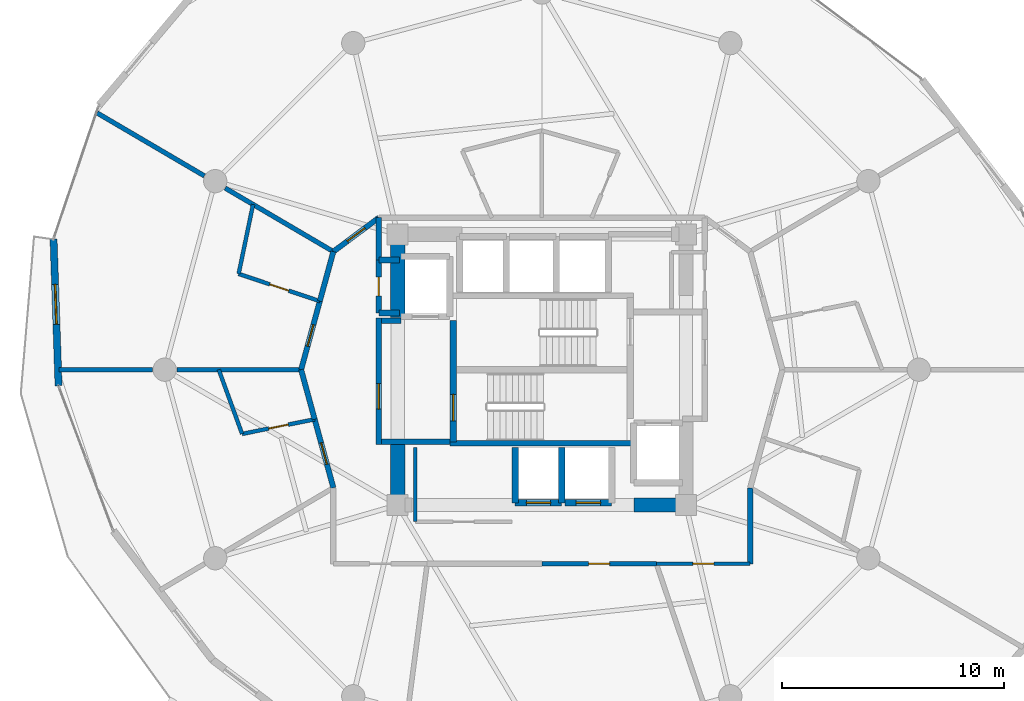
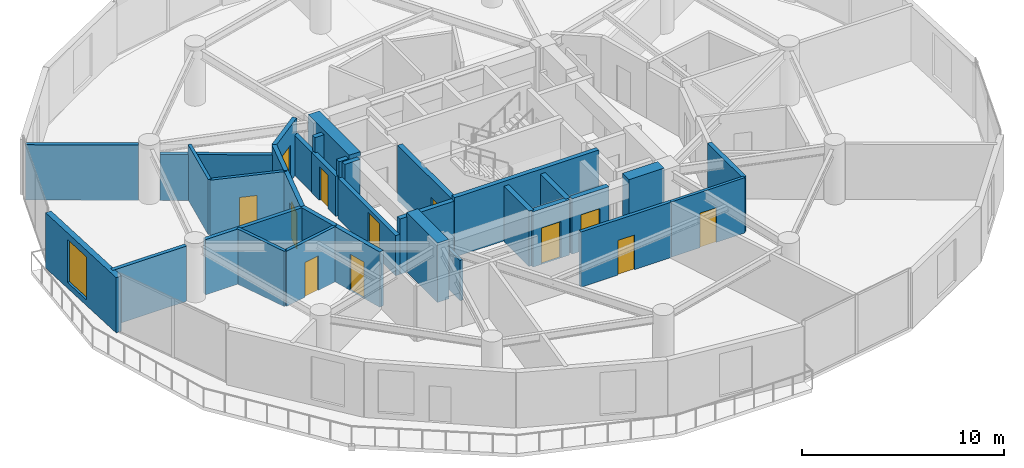
# One storey, part 21 of 25: 34 walls, 12 doors, 1 window, 13 openings.
"""IFC4 building model written with IfcOpenShell, lengths in metres."""

from ifc_helpers import new_model, si_unit, direction, frame, frame_2d, origin, place, context, subcontext, project, spatial, rectangle, extrude, material, layer, layer_set, type_object, element, fill, save


model = new_model("IFC4")

# Units and contexts
model_context = context("Model", 3, precision=1e-05, world=origin(), true_north=direction((0.0, 1.0)))
body_context = subcontext(model_context, "Body", "Model", "MODEL_VIEW")
ifc_project = project(units=[si_unit("LENGTHUNIT", "METRE"), si_unit("AREAUNIT", "SQUARE_METRE"), si_unit("VOLUMEUNIT", "CUBIC_METRE"), si_unit("PLANEANGLEUNIT", "RADIAN"), si_unit("MASSUNIT", "GRAM", prefix="KILO")], contexts=[model_context])

# Site, building, storey
site_placement = place(None, origin())
site = spatial("IfcSite", under=ifc_project, at=site_placement, CompositionType="ELEMENT")
building_placement = place(site_placement, origin())
building = spatial("IfcBuilding", under=site, at=building_placement, Name="Solvirekh Grand Hotel", CompositionType="ELEMENT")
storey_placement = place(building_placement, frame((0.0, 0.0, 102.60009765625)))
storey = spatial("IfcBuildingStorey", under=building, at=storey_placement, Name="L25", CompositionType="ELEMENT", Elevation=102.60009765625)

# Wall
ifc_material_1 = material(Name="Concrete C50/60", Category="concrete")
ifc_layer_1 = layer(ifc_material_1, 0.35009765625)
ifc_layer_set_1 = layer_set([ifc_layer_1], Name="Concrete C50/60")
wall_type_1 = type_object("IfcWallType", Name="CoreDivWall_RC350", PredefinedType="SOLIDWALL", material=ifc_layer_set_1)
wall_1_placement = place(storey_placement, frame((-4.1298828125, -3.324951171875, 0.0), z_axis=(0.0, 0.0, 1.0), x_axis=(1.0, 0.0, 0.0)))
element("IfcWall", 1, at=wall_1_placement, inside=storey, type_object=wall_type_1, Name="L25 core stair box wall ST-S", PredefinedType="SOLIDWALL", context=body_context, shape_type="SweptSolid", body=[
    extrude(rectangle(XDim=8.259765625, YDim=0.25, at=frame_2d((4.1298828125, 0.0))), origin(), (0.0, 0.0, 1.0), 3.599853515625),
])

# Wall, opening, door
ifc_material_2 = material(Name="Concrete C40/50", Category="concrete")
ifc_layer_2 = layer(ifc_material_2, 0.280029296875)
ifc_layer_set_2 = layer_set([ifc_layer_2], Name="Concrete C40/50")
wall_type_2 = type_object("IfcWallType", Name="CoreShaftWall_RC280", PredefinedType="SOLIDWALL", material=ifc_layer_set_2)
wall_2_placement = place(storey_placement, frame((-1.199951171875, -6.0, 0.0), z_axis=(0.0, 0.0, 1.0), x_axis=(1.0, 0.0, 0.0)))
wall_2 = element("IfcWall", 2, at=wall_2_placement, inside=storey, type_object=wall_type_2, Name="L25 MP-1 hoistway S wall", PredefinedType="SOLIDWALL", context=body_context, shape_type="SweptSolid", body=[
    extrude(rectangle(XDim=2.099853515625, YDim=0.280029296875, at=frame_2d((1.0498046875, 0.0))), origin(), (0.0, 0.0, 1.0), 3.349853515625),
])
opening_1_placement = place(wall_2_placement, frame((0.5, 0.0, 0.0)))
opening_1 = element("IfcOpeningElement", 3, at=opening_1_placement, cuts=wall_2, Name="Opening LD01", PredefinedType="OPENING", context=body_context, shape_type="SweptSolid", body=[
    extrude(rectangle(XDim=1.10009765625, YDim=2.199951171875, at=frame_2d((0.550048828125, 1.10009765625))), frame((0.0, 0.14990234375, 0.0), z_axis=(0.0, -1.0, 0.0), x_axis=(1.0, 0.0, 0.0)), (0.0, 0.0, 1.0), 0.300048828125),
])
ifc_material_3 = material(Name="Fire-Rated Steel Door Assembly", Category="steel")
door_type_1 = type_object("IfcDoorType", Name="Door_LiftLanding_1100X2200", OperationType="SLIDING_TO_LEFT", PredefinedType="DOOR", material=ifc_material_3)
door_1_placement = place(opening_1_placement, origin())
door_1 = element("IfcDoor", 4, at=door_1_placement, inside=storey, type_object=door_type_1, Name="L25 MP-1 sliding lift landing door", OperationType="SLIDING_TO_LEFT", OverallHeight=2.199951171875, OverallWidth=1.10009765625, PredefinedType="DOOR", context=body_context, shape_type="SweptSolid", body=[
    extrude(rectangle(XDim=1.10009765625, YDim=2.199951171875, at=frame_2d((0.550048828125, 1.10009765625))), frame((0.0, 0.02490234375, 0.0), z_axis=(0.0, -1.0, 0.0), x_axis=(1.0, 0.0, 0.0)), (0.0, 0.0, 1.0), 0.050048828125),
])
fill(opening_1, door_1)

# Walls
for number, where, z_axis, x_axis, name in (
    (5, (-1.199951171875, -3.5, 0.0), (0.0, 0.0, 1.0), (0.0, -1.0, 0.0), "L25 MP-1 hoistway W wall"),
    (6, (0.89990234375, -6.0, 0.0), (0.0, 0.0, 1.0), (0.0, 1.0, 0.0), "L25 MP-1 hoistway E wall"),
):
    element("IfcWall", number, at=place(storey_placement, frame(where, z_axis=z_axis, x_axis=x_axis)), inside=storey, type_object=wall_type_2, Name=name, PredefinedType="SOLIDWALL", context=body_context, shape_type="SweptSolid", body=[
        extrude(rectangle(XDim=2.5, YDim=0.280029296875, at=frame_2d((1.25, 0.0))), origin(), (0.0, 0.0, 1.0), 3.349853515625),
    ])

# Wall, opening, door
wall_3_placement = place(storey_placement, frame((1.050048828125, -6.0, 0.0), z_axis=(0.0, 0.0, 1.0), x_axis=(1.0, 0.0, 0.0)))
wall_3 = element("IfcWall", 7, at=wall_3_placement, inside=storey, type_object=wall_type_2, Name="L25 MP-2 hoistway S wall", PredefinedType="SOLIDWALL", context=body_context, shape_type="SweptSolid", body=[
    extrude(rectangle(XDim=2.099853515625, YDim=0.280029296875, at=frame_2d((1.0498046875, 0.0))), origin(), (0.0, 0.0, 1.0), 3.349853515625),
])
opening_2_placement = place(wall_3_placement, frame((0.5, 0.0, 0.0)))
opening_2 = element("IfcOpeningElement", 8, at=opening_2_placement, cuts=wall_3, Name="Opening LD01", PredefinedType="OPENING", context=body_context, shape_type="SweptSolid", body=[
    extrude(rectangle(XDim=1.10009765625, YDim=2.199951171875, at=frame_2d((0.550048828125, 1.10009765625))), frame((0.0, 0.14990234375, 0.0), z_axis=(0.0, -1.0, 0.0), x_axis=(1.0, 0.0, 0.0)), (0.0, 0.0, 1.0), 0.300048828125),
])
door_2_placement = place(opening_2_placement, origin())
door_2 = element("IfcDoor", 9, at=door_2_placement, inside=storey, type_object=door_type_1, Name="L25 MP-2 sliding lift landing door", OperationType="SLIDING_TO_LEFT", OverallHeight=2.199951171875, OverallWidth=1.10009765625, PredefinedType="DOOR", context=body_context, shape_type="SweptSolid", body=[
    extrude(rectangle(XDim=1.10009765625, YDim=2.199951171875, at=frame_2d((0.550048828125, 1.10009765625))), frame((0.0, 0.02490234375, 0.0), z_axis=(0.0, -1.0, 0.0), x_axis=(1.0, 0.0, 0.0)), (0.0, 0.0, 1.0), 0.050048828125),
])
fill(opening_2, door_2)

wall_4_placement = place(storey_placement, frame((-3.989990234375, -3.25, 0.0), z_axis=(0.0, 0.0, 1.0), x_axis=(0.0, 1.0, 0.0)))
wall_4 = element("IfcWall", 10, at=wall_4_placement, inside=storey, type_object=wall_type_2, Name="L25 west stair landing enclosure wall", PredefinedType="SOLIDWALL", context=body_context, shape_type="SweptSolid", body=[
    extrude(rectangle(XDim=5.4599609375, YDim=0.280029296875, at=frame_2d((2.72998046875, 0.0))), origin(), (0.0, 0.0, 1.0), 3.349853515625),
])
opening_3_placement = place(wall_4_placement, frame((0.93701171875, 0.0, 0.0)))
opening_3 = element("IfcOpeningElement", 11, at=opening_3_placement, cuts=wall_4, Name="Opening D05", PredefinedType="OPENING", context=body_context, shape_type="SweptSolid", body=[
    extrude(rectangle(XDim=1.199951171875, YDim=2.199951171875, at=frame_2d((0.60009765625, 1.10009765625))), frame((0.0, 0.14990234375, 0.0), z_axis=(0.0, -1.0, 0.0), x_axis=(1.0, 0.0, 0.0)), (0.0, 0.0, 1.0), 0.300048828125),
])
door_type_2 = type_object("IfcDoorType", Name="Door_StairCore_1200X2200", OperationType="NOTDEFINED", PredefinedType="DOOR", material=ifc_material_3)
door_3_placement = place(opening_3_placement, origin())
door_3 = element("IfcDoor", 12, at=door_3_placement, inside=storey, type_object=door_type_2, Name="L25 exit stair ST-1 fire door", OperationType="SINGLE_SWING_RIGHT", OverallHeight=2.199951171875, OverallWidth=1.199951171875, PredefinedType="DOOR", context=body_context, shape_type="SweptSolid", body=[
    extrude(rectangle(XDim=1.199951171875, YDim=2.199951171875, at=frame_2d((0.60009765625, 1.10009765625))), frame((0.0, 0.02490234375, 0.0), z_axis=(0.0, -1.0, 0.0), x_axis=(1.0, 0.0, 0.0)), (0.0, 0.0, 1.0), 0.050048828125),
])
fill(opening_3, door_3)

# Walls
ifc_layer_3 = layer(ifc_material_1, 0.64990234375)
ifc_layer_set_3 = layer_set([ifc_layer_3], Name="Concrete C50/60")
wall_type_3 = type_object("IfcWallType", Name="CoreWall_RC650", PredefinedType="SHEAR", material=ifc_layer_set_3)
wall_5_placement = place(storey_placement, frame((4.14990234375, -6.10009765625, 0.0), z_axis=(0.0, 0.0, 1.0), x_axis=(1.0, 0.0, 0.0)))
element("IfcWall", 13, at=wall_5_placement, inside=storey, type_object=wall_type_3, Name="L25 core corner shear wall SE-S", PredefinedType="SHEAR", context=body_context, shape_type="SweptSolid", body=[
    extrude(rectangle(XDim=2.025146484375, YDim=0.64990234375, at=frame_2d((1.0126953125, 0.0))), origin(), (0.0, 0.0, 1.0), 3.599853515625),
])
wall_6_placement = place(storey_placement, frame((-6.5, 2.35009765625, 0.0), z_axis=(0.0, 0.0, 1.0), x_axis=(0.0, 1.0, 0.0)))
element("IfcWall", 14, at=wall_6_placement, inside=storey, type_object=wall_type_3, Name="L25 core corner shear wall WN-W", PredefinedType="SHEAR", context=body_context, shape_type="SweptSolid", body=[
    extrude(rectangle(XDim=4.074951171875, YDim=0.64990234375, at=frame_2d((2.03759765625, 0.0))), origin(), (0.0, 0.0, 1.0), 3.599853515625),
])
wall_7_placement = place(storey_placement, frame((-6.5, -6.425048828125, 0.0), z_axis=(0.0, 0.0, 1.0), x_axis=(0.0, 1.0, 0.0)))
element("IfcWall", 15, at=wall_7_placement, inside=storey, type_object=wall_type_3, Name="L25 core corner shear wall WS-W", PredefinedType="SHEAR", context=body_context, shape_type="SweptSolid", body=[
    extrude(rectangle(XDim=3.074951171875, YDim=0.64990234375, at=frame_2d((1.53759765625, 0.0))), origin(), (0.0, 0.0, 1.0), 3.599853515625),
])

# Wall, opening, window
ifc_material_4 = material(Name="Precast concrete C45/55", Category="concrete")
ifc_layer_4 = layer(ifc_material_4, 0.320068359375)
ifc_layer_set_4 = layer_set([ifc_layer_4], Name="Precast concrete C45/55")
wall_type_4 = type_object("IfcWallType", Name="ExtLobbyWall_RC320", PredefinedType="SOLIDWALL", material=ifc_layer_set_4)
wall_8_placement = place(storey_placement, frame((-21.785888671875, -0.722900390625, 0.0), z_axis=(0.0, 0.0, 1.0), x_axis=(-0.034040106065, 0.999420467661, 0.0)))
wall_8 = element("IfcWall", 16, at=wall_8_placement, inside=storey, type_object=wall_type_4, Name="L25 exterior structural wall chord 12", PredefinedType="SOLIDWALL", context=body_context, shape_type="SweptSolid", body=[
    extrude(rectangle(XDim=6.61279296875, YDim=0.320068359375, at=frame_2d((3.306396484375, 0.0))), origin(), (0.0, 0.0, 1.0), 3.349853515625),
])
opening_4_placement = place(wall_8_placement, frame((2.76708984375, 0.0, 0.35009765625)))
opening_4 = element("IfcOpeningElement", 17, at=opening_4_placement, cuts=wall_8, Name="Opening W02", PredefinedType="OPENING", context=body_context, shape_type="SweptSolid", body=[
    extrude(rectangle(XDim=1.800048828125, YDim=2.60009765625, at=frame_2d((0.89990234375, 1.300048828125))), frame((0.0, 0.169921875, 0.0), z_axis=(0.0, -1.0, 0.0), x_axis=(1.0, 0.0, 0.0)), (0.0, 0.0, 1.0), 0.340087890625),
])
ifc_material_5 = material(Name="Low-E Tinted Bronze Laminated Glass", Category="aluminium")
window_type = type_object("IfcWindowType", Name="Win_LobbyExt_1800X2600", PartitioningType="SINGLE_PANEL", PredefinedType="WINDOW", material=ifc_material_5)
window_placement = place(opening_4_placement, origin())
window = element("IfcWindow", 18, at=window_placement, inside=storey, type_object=window_type, Name="L25 panoramic bronze-framed window 12", OverallHeight=2.60009765625, OverallWidth=1.800048828125, PartitioningType="SINGLE_PANEL", PredefinedType="WINDOW", context=body_context, shape_type="SweptSolid", body=[
    extrude(rectangle(XDim=1.800048828125, YDim=2.60009765625, at=frame_2d((0.89990234375, 1.300048828125))), frame((0.0, 0.030029296875, 0.0), z_axis=(0.0, -1.0, 0.0), x_axis=(1.0, 0.0, 0.0)), (0.0, 0.0, 1.0), 0.06005859375),
])
fill(opening_4, window)

# Wall
ifc_material_6 = material(Name="Acoustic Gypsum Partition Assembly")
ifc_layer_5 = layer(ifc_material_6, 0.1650390625)
ifc_layer_set_5 = layer_set([ifc_layer_5], Name="Acoustic Gypsum Partition Assembly")
wall_type_5 = type_object("IfcWallType", Name="Part_BOH_165", PredefinedType="PARTITIONING", material=ifc_layer_set_5)
wall_9_placement = place(storey_placement, frame((-5.699951171875, -3.5, 0.0), z_axis=(0.0, 0.0, 1.0), x_axis=(0.0, -1.0, 0.0)))
element("IfcWall", 19, at=wall_9_placement, inside=storey, type_object=wall_type_5, Name="L25 Mid-Zone Housekeeping Linen Room wall 4", PredefinedType="PARTITIONING", context=body_context, shape_type="SweptSolid", body=[
    extrude(rectangle(XDim=3.35009765625, YDim=0.1650390625, at=frame_2d((1.675048828125, 0.0))), origin(), (0.0, 0.0, 1.0), 2.434814453125),
])

# Wall, opening, door
wall_10_placement = place(storey_placement, frame((5.16796875, -8.75, 0.0), z_axis=(0.0, 0.0, 1.0), x_axis=(1.0, 0.0, 0.0)))
wall_10 = element("IfcWall", 20, at=wall_10_placement, inside=storey, type_object=wall_type_5, Name="L25 L25 Butler Valet & Linen Steward Room entrance wall", PredefinedType="PARTITIONING", context=body_context, shape_type="SweptSolid", body=[
    extrude(rectangle(XDim=4.22802734375, YDim=0.1650390625, at=frame_2d((2.114013671875, 0.0))), origin(), (0.0, 0.0, 1.0), 3.349853515625),
])
opening_5_placement = place(wall_10_placement, frame((1.638916015625, 0.0, 0.0)))
opening_5 = element("IfcOpeningElement", 21, at=opening_5_placement, cuts=wall_10, Name="Opening D10", PredefinedType="OPENING", context=body_context, shape_type="SweptSolid", body=[
    extrude(rectangle(XDim=0.949951171875, YDim=2.10009765625, at=frame_2d((0.47509765625, 1.050048828125))), frame((0.0, 0.092529296875, 0.0), z_axis=(0.0, -1.0, 0.0), x_axis=(1.0, 0.0, 0.0)), (0.0, 0.0, 1.0), 0.18505859375),
])
ifc_material_7 = material(Name="Anodized Bronze Aluminium 6063-T6", Category="aluminium")
door_type_3 = type_object("IfcDoorType", Name="Door_RoomInt_950X2100", OperationType="NOTDEFINED", PredefinedType="DOOR", material=ifc_material_7)
door_4_placement = place(opening_5_placement, origin())
door_4 = element("IfcDoor", 22, at=door_4_placement, inside=storey, type_object=door_type_3, Name="L25 L25 Butler Valet & Linen Steward Room entrance door", OperationType="SINGLE_SWING_LEFT", OverallHeight=2.10009765625, OverallWidth=0.949951171875, PredefinedType="DOOR", context=body_context, shape_type="SweptSolid", body=[
    extrude(rectangle(XDim=0.949951171875, YDim=2.10009765625, at=frame_2d((0.47509765625, 1.050048828125))), frame((0.0, 0.02490234375, 0.0), z_axis=(0.0, -1.0, 0.0), x_axis=(1.0, 0.0, 0.0)), (0.0, 0.0, 1.0), 0.050048828125),
])
fill(opening_5, door_4)

ifc_layer_6 = layer(ifc_material_6, 0.239990234375)
ifc_layer_set_6 = layer_set([ifc_layer_6], Name="Acoustic Gypsum Partition Assembly")
wall_type_6 = type_object("IfcWallType", Name="Part_Corridor_240", PredefinedType="PARTITIONING", material=ifc_layer_set_6)
wall_11_placement = place(storey_placement, frame((-7.35009765625, -3.3798828125, 0.0), z_axis=(0.0, 0.0, 1.0), x_axis=(0.0, 1.0, 0.0)))
wall_11 = element("IfcWall", 23, at=wall_11_placement, inside=storey, type_object=wall_type_6, Name="L25 west firefighting lobby smoke screen wall", PredefinedType="PARTITIONING", context=body_context, shape_type="SweptSolid", body=[
    extrude(rectangle(XDim=5.719970703125, YDim=0.239990234375, at=frame_2d((2.85986328125, 0.0))), origin(), (0.0, 0.0, 1.0), 2.434814453125),
])
opening_6_placement = place(wall_11_placement, frame((1.59912109375, 0.0, 0.0)))
opening_6 = element("IfcOpeningElement", 24, at=opening_6_placement, cuts=wall_11, Name="Opening D06", PredefinedType="OPENING", context=body_context, shape_type="SweptSolid", body=[
    extrude(rectangle(XDim=1.14990234375, YDim=2.199951171875, at=frame_2d((0.574951171875, 1.10009765625))), frame((0.0, 0.1298828125, 0.0), z_axis=(0.0, -1.0, 0.0), x_axis=(1.0, 0.0, 0.0)), (0.0, 0.0, 1.0), 0.260009765625),
])
door_type_4 = type_object("IfcDoorType", Name="Door_FFLobby_1150X2200", OperationType="NOTDEFINED", PredefinedType="DOOR", material=ifc_material_3)
door_5_placement = place(opening_6_placement, origin())
door_5 = element("IfcDoor", 25, at=door_5_placement, inside=storey, type_object=door_type_4, Name="L25 west firefighting lobby smoke door", OperationType="SINGLE_SWING_RIGHT", OverallHeight=2.199951171875, OverallWidth=1.14990234375, PredefinedType="DOOR", context=body_context, shape_type="SweptSolid", body=[
    extrude(rectangle(XDim=1.14990234375, YDim=2.199951171875, at=frame_2d((0.574951171875, 1.10009765625))), frame((0.0, 0.02490234375, 0.0), z_axis=(0.0, -1.0, 0.0), x_axis=(1.0, 0.0, 0.0)), (0.0, 0.0, 1.0), 0.050048828125),
])
fill(opening_6, door_5)

# Wall
wall_12_placement = place(storey_placement, frame((-7.35009765625, 4.949951171875, 0.0), z_axis=(0.0, 0.0, 1.0), x_axis=(0.0, 1.0, 0.0)))
element("IfcWall", 26, at=wall_12_placement, inside=storey, type_object=wall_type_6, Name="L25 NW core cheek closure wall", PredefinedType="PARTITIONING", context=body_context, shape_type="SweptSolid", body=[
    extrude(rectangle(XDim=1.900146484375, YDim=0.239990234375, at=frame_2d((0.9501953125, 0.0))), origin(), (0.0, 0.0, 1.0), 2.434814453125),
])

# Wall, opening, door
wall_13_placement = place(storey_placement, frame((-9.39599609375, 5.324951171875, 0.0), z_axis=(0.0, 0.0, 1.0), x_axis=(0.8017416961, 0.597670689205, 0.0)))
wall_13 = element("IfcWall", 27, at=wall_13_placement, inside=storey, type_object=wall_type_6, Name="L25 Panorama Suite 2702 entrance wall", PredefinedType="PARTITIONING", context=body_context, shape_type="SweptSolid", body=[
    extrude(rectangle(XDim=2.5517578125, YDim=0.239990234375, at=frame_2d((1.27587890625, 0.0))), origin(), (0.0, 0.0, 1.0), 3.349853515625),
])
opening_7_placement = place(wall_13_placement, frame((0.77587890625, 0.0, 0.0)))
opening_7 = element("IfcOpeningElement", 28, at=opening_7_placement, cuts=wall_13, Name="Opening D07", PredefinedType="OPENING", context=body_context, shape_type="SweptSolid", body=[
    extrude(rectangle(XDim=1.0, YDim=2.199951171875, at=frame_2d((0.5, 1.10009765625))), frame((0.0, 0.1298828125, 0.0), z_axis=(0.0, -1.0, 0.0), x_axis=(1.0, 0.0, 0.0)), (0.0, 0.0, 1.0), 0.260009765625),
])
door_type_5 = type_object("IfcDoorType", Name="Door_GuestEntry_1000X2200", OperationType="NOTDEFINED", PredefinedType="DOOR", material=ifc_material_3)
door_6_placement = place(opening_7_placement, origin())
door_6 = element("IfcDoor", 29, at=door_6_placement, inside=storey, type_object=door_type_5, Name="L25 Panorama Suite 2702 entrance door", OperationType="SINGLE_SWING_RIGHT", OverallHeight=2.199951171875, OverallWidth=1.0, PredefinedType="DOOR", context=body_context, shape_type="SweptSolid", body=[
    extrude(rectangle(XDim=1.0, YDim=2.199951171875, at=frame_2d((0.5, 1.10009765625))), frame((0.0, 0.02490234375, 0.0), z_axis=(0.0, -1.0, 0.0), x_axis=(1.0, 0.0, 0.0)), (0.0, 0.0, 1.0), 0.050048828125),
])
fill(opening_7, door_6)

# Wall
wall_14_placement = place(storey_placement, frame((-9.39599609375, 5.324951171875, 0.0), z_axis=(0.0, 0.0, 1.0), x_axis=(-0.263643210908, -0.964620265878, 0.0)))
element("IfcWall", 30, at=wall_14_placement, inside=storey, type_object=wall_type_6, Name="L25 En-suite Bathroom 2703 corridor backing wall", PredefinedType="PARTITIONING", context=body_context, shape_type="SweptSolid", body=[
    extrude(rectangle(XDim=2.31787109375, YDim=0.239990234375, at=frame_2d((1.158935546875, 0.0))), origin(), (0.0, 0.0, 1.0), 3.349853515625),
])

# Wall, opening, door
wall_15_placement = place(storey_placement, frame((-10.007080078125, 3.089111328125, 0.0), z_axis=(0.0, 0.0, 1.0), x_axis=(-0.263272237376, -0.964721581093, 0.0)))
wall_15 = element("IfcWall", 31, at=wall_15_placement, inside=storey, type_object=wall_type_6, Name="L25 Deluxe Guestroom 2703 entrance wall", PredefinedType="PARTITIONING", context=body_context, shape_type="SweptSolid", body=[
    extrude(rectangle(XDim=3.2021484375, YDim=0.239990234375, at=frame_2d((1.60107421875, 0.0))), origin(), (0.0, 0.0, 1.0), 3.349853515625),
])
opening_8_placement = place(wall_15_placement, frame((1.10107421875, 0.0, 0.0)))
opening_8 = element("IfcOpeningElement", 32, at=opening_8_placement, cuts=wall_15, Name="Opening D07", PredefinedType="OPENING", context=body_context, shape_type="SweptSolid", body=[
    extrude(rectangle(XDim=1.0, YDim=2.199951171875, at=frame_2d((0.5, 1.10009765625))), frame((0.0, 0.1298828125, 0.0), z_axis=(0.0, -1.0, 0.0), x_axis=(1.0, 0.0, 0.0)), (0.0, 0.0, 1.0), 0.260009765625),
])
door_7_placement = place(opening_8_placement, origin())
door_7 = element("IfcDoor", 33, at=door_7_placement, inside=storey, type_object=door_type_5, Name="L25 Deluxe Guestroom 2703 entrance door", OperationType="SINGLE_SWING_RIGHT", OverallHeight=2.199951171875, OverallWidth=1.0, PredefinedType="DOOR", context=body_context, shape_type="SweptSolid", body=[
    extrude(rectangle(XDim=1.0, YDim=2.199951171875, at=frame_2d((0.5, 1.10009765625))), frame((0.0, 0.02490234375, 0.0), z_axis=(0.0, -1.0, 0.0), x_axis=(1.0, 0.0, 0.0)), (0.0, 0.0, 1.0), 0.050048828125),
])
fill(opening_8, door_7)

# Wall
wall_16_placement = place(storey_placement, frame((-10.85009765625, 0.0, 0.0), z_axis=(0.0, 0.0, 1.0), x_axis=(0.263616426241, -0.964627586074, 0.0)))
element("IfcWall", 34, at=wall_16_placement, inside=storey, type_object=wall_type_6, Name="L25 En-suite Bathroom 2704 corridor backing wall", PredefinedType="PARTITIONING", context=body_context, shape_type="SweptSolid", body=[
    extrude(rectangle(XDim=2.318115234375, YDim=0.239990234375, at=frame_2d((1.1591796875, 0.0))), origin(), (0.0, 0.0, 1.0), 3.349853515625),
])

# Wall, opening, door
wall_17_placement = place(storey_placement, frame((-10.239013671875, -2.236083984375, 0.0), z_axis=(0.0, 0.0, 1.0), x_axis=(0.26329160366, -0.964716295831, 0.0)))
wall_17 = element("IfcWall", 35, at=wall_17_placement, inside=storey, type_object=wall_type_6, Name="L25 Deluxe Guestroom 2704 entrance wall", PredefinedType="PARTITIONING", context=body_context, shape_type="SweptSolid", body=[
    extrude(rectangle(XDim=3.201904296875, YDim=0.239990234375, at=frame_2d((1.60107421875, 0.0))), origin(), (0.0, 0.0, 1.0), 3.349853515625),
])
opening_9_placement = place(wall_17_placement, frame((1.10107421875, 0.0, 0.0)))
opening_9 = element("IfcOpeningElement", 36, at=opening_9_placement, cuts=wall_17, Name="Opening D07", PredefinedType="OPENING", context=body_context, shape_type="SweptSolid", body=[
    extrude(rectangle(XDim=1.0, YDim=2.199951171875, at=frame_2d((0.5, 1.10009765625))), frame((0.0, 0.1298828125, 0.0), z_axis=(0.0, -1.0, 0.0), x_axis=(1.0, 0.0, 0.0)), (0.0, 0.0, 1.0), 0.260009765625),
])
door_8_placement = place(opening_9_placement, origin())
door_8 = element("IfcDoor", 37, at=door_8_placement, inside=storey, type_object=door_type_5, Name="L25 Deluxe Guestroom 2704 entrance door", OperationType="SINGLE_SWING_RIGHT", OverallHeight=2.199951171875, OverallWidth=1.0, PredefinedType="DOOR", context=body_context, shape_type="SweptSolid", body=[
    extrude(rectangle(XDim=1.0, YDim=2.199951171875, at=frame_2d((0.5, 1.10009765625))), frame((0.0, 0.02490234375, 0.0), z_axis=(0.0, -1.0, 0.0), x_axis=(1.0, 0.0, 0.0)), (0.0, 0.0, 1.0), 0.050048828125),
])
fill(opening_9, door_8)

# Wall
wall_18_placement = place(storey_placement, frame((9.39599609375, -8.75, 0.0), z_axis=(0.0, 0.0, 1.0), x_axis=(0.0, 1.0, 0.0)))
element("IfcWall", 38, at=wall_18_placement, inside=storey, type_object=wall_type_6, Name="L25 L25 Butler Valet & Linen Steward Room corridor wall 1", PredefinedType="PARTITIONING", context=body_context, shape_type="SweptSolid", body=[
    extrude(rectangle(XDim=3.425048828125, YDim=0.239990234375, at=frame_2d((1.71240234375, 0.0))), origin(), (0.0, 0.0, 1.0), 3.349853515625),
])

# Wall, opening, door
ifc_layer_7 = layer(ifc_material_6, 0.18994140625)
ifc_layer_set_7 = layer_set([ifc_layer_7], Name="Acoustic Gypsum Partition Assembly")
wall_type_7 = type_object("IfcWallType", Name="Part_GuestDemise_190", PredefinedType="PARTITIONING", material=ifc_layer_set_7)
wall_19_placement = place(storey_placement, frame((0.0, -8.75, 0.0), z_axis=(0.0, 0.0, 1.0), x_axis=(1.0, 0.0, 0.0)))
wall_19 = element("IfcWall", 39, at=wall_19_placement, inside=storey, type_object=wall_type_7, Name="L25 L25 Riverfront Reading Lounge entrance wall", PredefinedType="PARTITIONING", context=body_context, shape_type="SweptSolid", body=[
    extrude(rectangle(XDim=5.16796875, YDim=0.18994140625, at=frame_2d((2.583984375, 0.0))), origin(), (0.0, 0.0, 1.0), 3.349853515625),
])
opening_10_placement = place(wall_19_placement, frame((2.10888671875, 0.0, 0.0)))
opening_10 = element("IfcOpeningElement", 40, at=opening_10_placement, cuts=wall_19, Name="Opening D10", PredefinedType="OPENING", context=body_context, shape_type="SweptSolid", body=[
    extrude(rectangle(XDim=0.949951171875, YDim=2.10009765625, at=frame_2d((0.47509765625, 1.050048828125))), frame((0.0, 0.10498046875, 0.0), z_axis=(0.0, -1.0, 0.0), x_axis=(1.0, 0.0, 0.0)), (0.0, 0.0, 1.0), 0.2099609375),
])
door_9_placement = place(opening_10_placement, origin())
door_9 = element("IfcDoor", 41, at=door_9_placement, inside=storey, type_object=door_type_3, Name="L25 L25 Riverfront Reading Lounge entrance door", OperationType="SINGLE_SWING_RIGHT", OverallHeight=2.10009765625, OverallWidth=0.949951171875, PredefinedType="DOOR", context=body_context, shape_type="SweptSolid", body=[
    extrude(rectangle(XDim=0.949951171875, YDim=2.10009765625, at=frame_2d((0.47509765625, 1.050048828125))), frame((0.0, 0.02490234375, 0.0), z_axis=(0.0, -1.0, 0.0), x_axis=(1.0, 0.0, 0.0)), (0.0, 0.0, 1.0), 0.050048828125),
])
fill(opening_10, door_9)

# Walls
ifc_layer_8 = layer(ifc_material_6, 0.260009765625)
ifc_layer_set_8 = layer_set([ifc_layer_8], Name="Acoustic Gypsum Partition Assembly")
wall_type_8 = type_object("IfcWallType", Name="Part_LobbyFF_260", PredefinedType="PARTITIONING", material=ifc_layer_set_8)
wall_20_placement = place(storey_placement, frame((-7.22509765625, -3.25, 0.0), z_axis=(0.0, 0.0, 1.0), x_axis=(1.0, 0.0, 0.0)))
element("IfcWall", 42, at=wall_20_placement, inside=storey, type_object=wall_type_8, Name="L25 west firefighting lobby south partition", PredefinedType="PARTITIONING", context=body_context, shape_type="SweptSolid", body=[
    extrude(rectangle(XDim=3.09521484375, YDim=0.260009765625, at=frame_2d((1.547607421875, 0.0))), origin(), (0.0, 0.0, 1.0), 3.349853515625),
])
wall_21_placement = place(storey_placement, frame((-7.22509765625, 2.2099609375, 0.0), z_axis=(0.0, 0.0, 1.0), x_axis=(1.0, 0.0, 0.0)))
element("IfcWall", 43, at=wall_21_placement, inside=storey, type_object=wall_type_8, Name="L25 west firefighting lobby NW cheek", PredefinedType="PARTITIONING", context=body_context, shape_type="SweptSolid", body=[
    extrude(rectangle(XDim=0.875, YDim=0.260009765625, at=frame_2d((0.4375, 0.0))), origin(), (0.0, 0.0, 1.0), 3.349853515625),
])
for number, where, z_axis, x_axis, name in (
    (44, (-7.35009765625, 4.949951171875, 0.0), (0.0, 0.0, 1.0), (1.0, 0.0, 0.0), "L25 NW telecom metering cupboard north wall"),
    (45, (-7.35009765625, 2.550048828125, 0.0), (0.0, 0.0, 1.0), (1.0, 0.0, 0.0), "L25 NW telecom metering cupboard south wall"),
):
    element("IfcWall", number, at=place(storey_placement, frame(where, z_axis=z_axis, x_axis=x_axis)), inside=storey, type_object=wall_type_8, Name=name, PredefinedType="PARTITIONING", context=body_context, shape_type="SweptSolid", body=[
        extrude(rectangle(XDim=0.93017578125, YDim=0.260009765625, at=frame_2d((0.465087890625, 0.0))), origin(), (0.0, 0.0, 1.0), 3.349853515625),
    ])

# Wall, opening, door
wall_22_placement = place(storey_placement, frame((-7.35009765625, 2.550048828125, 0.0), z_axis=(0.0, 0.0, 1.0), x_axis=(0.0, 1.0, 0.0)))
wall_22 = element("IfcWall", 46, at=wall_22_placement, inside=storey, type_object=wall_type_8, Name="L25 NW telecom metering cupboard access wall", PredefinedType="PARTITIONING", context=body_context, shape_type="SweptSolid", body=[
    extrude(rectangle(XDim=2.39990234375, YDim=0.260009765625, at=frame_2d((1.199951171875, 0.0))), origin(), (0.0, 0.0, 1.0), 2.434814453125),
])
opening_11_placement = place(wall_22_placement, frame((0.77490234375, 0.0, 0.0)))
opening_11 = element("IfcOpeningElement", 47, at=opening_11_placement, cuts=wall_22, Name="Opening D13", PredefinedType="OPENING", context=body_context, shape_type="SweptSolid", body=[
    extrude(rectangle(XDim=0.85009765625, YDim=2.050048828125, at=frame_2d((0.425048828125, 1.02490234375))), frame((0.0, 0.14013671875, 0.0), z_axis=(0.0, -1.0, 0.0), x_axis=(1.0, 0.0, 0.0)), (0.0, 0.0, 1.0), 0.280029296875),
])
door_type_6 = type_object("IfcDoorType", Name="Door_RiserShaft_850X2050", OperationType="NOTDEFINED", PredefinedType="DOOR", material=ifc_material_3)
door_10_placement = place(opening_11_placement, origin())
door_10 = element("IfcDoor", 48, at=door_10_placement, inside=storey, type_object=door_type_6, Name="L25 telecom metering cupboard access door", OperationType="SINGLE_SWING_RIGHT", OverallHeight=2.050048828125, OverallWidth=0.85009765625, PredefinedType="DOOR", context=body_context, shape_type="SweptSolid", body=[
    extrude(rectangle(XDim=0.85009765625, YDim=2.050048828125, at=frame_2d((0.425048828125, 1.02490234375))), frame((0.0, 0.02490234375, 0.0), z_axis=(0.0, -1.0, 0.0), x_axis=(1.0, 0.0, 0.0)), (0.0, 0.0, 1.0), 0.050048828125),
])
fill(opening_11, door_10)

# Walls
ifc_layer_9 = layer(ifc_material_6, 0.2099609375)
ifc_layer_set_9 = layer_set([ifc_layer_9], Name="Acoustic Gypsum Partition Assembly")
wall_type_9 = type_object("IfcWallType", Name="Part_SuiteDemise_210", PredefinedType="PARTITIONING", material=ifc_layer_set_9)
wall_23_placement = place(storey_placement, frame((-9.39599609375, 5.324951171875, 0.0), z_axis=(0.0, 0.0, 1.0), x_axis=(-0.862467386777, 0.50611264235, 0.0)))
element("IfcWall", 49, at=wall_23_placement, inside=storey, type_object=wall_type_9, Name="L25 suite radial wall 6 (A)", PredefinedType="PARTITIONING", context=body_context, shape_type="SweptSolid", body=[
    extrude(rectangle(XDim=5.656982421875, YDim=0.2099609375, at=frame_2d((2.82861328125, 0.0))), origin(), (0.0, 0.0, 1.0), 2.791015625),
])
wall_24_placement = place(storey_placement, frame((-15.2119140625, 8.738037109375, 0.0), z_axis=(0.0, 0.0, 1.0), x_axis=(-0.862556345738, 0.505961016706, 0.0)))
element("IfcWall", 50, at=wall_24_placement, inside=storey, type_object=wall_type_9, Name="L25 suite radial wall 6 (B)", PredefinedType="PARTITIONING", context=body_context, shape_type="SweptSolid", body=[
    extrude(rectangle(XDim=5.60302734375, YDim=0.2099609375, at=frame_2d((2.801513671875, 0.0))), origin(), (0.0, 0.0, 1.0), 3.349853515625),
])
wall_25_placement = place(storey_placement, frame((-10.85009765625, 0.0, 0.0), z_axis=(0.0, 0.0, 1.0), x_axis=(-1.0, 0.0, 0.0)))
element("IfcWall", 51, at=wall_25_placement, inside=storey, type_object=wall_type_9, Name="L25 suite radial wall 7 (A)", PredefinedType="PARTITIONING", context=body_context, shape_type="SweptSolid", body=[
    extrude(rectangle(XDim=5.60498046875, YDim=0.2099609375, at=frame_2d((2.802490234375, 0.0))), origin(), (0.0, 0.0, 1.0), 3.349853515625),
])
wall_26_placement = place(storey_placement, frame((-17.544921875, 0.0, 0.0), z_axis=(0.0, 0.0, 1.0), x_axis=(-1.0, 0.0, 0.0)))
element("IfcWall", 52, at=wall_26_placement, inside=storey, type_object=wall_type_9, Name="L25 suite radial wall 7 (B)", PredefinedType="PARTITIONING", context=body_context, shape_type="SweptSolid", body=[
    extrude(rectangle(XDim=4.22607421875, YDim=0.2099609375, at=frame_2d((2.113037109375, 0.0))), origin(), (0.0, 0.0, 1.0), 3.349853515625),
])
ifc_layer_10 = layer(ifc_material_6, 0.175048828125)
ifc_layer_set_10 = layer_set([ifc_layer_10], Name="Acoustic Gypsum Partition Assembly")
wall_type_10 = type_object("IfcWallType", Name="Plumb_Ensuite_175", PredefinedType="PLUMBINGWALL", material=ifc_layer_set_10)
wall_27_placement = place(storey_placement, frame((-13.01708984375, 7.448974609375, 0.0), z_axis=(0.0, 0.0, 1.0), x_axis=(-0.203136275653, -0.979150475419, 0.0)))
element("IfcWall", 53, at=wall_27_placement, inside=storey, type_object=wall_type_10, Name="L25 En-suite Bathroom 2703 outer plumbing wall", PredefinedType="PLUMBINGWALL", context=body_context, shape_type="SweptSolid", body=[
    extrude(rectangle(XDim=3.194580078125, YDim=0.175048828125, at=frame_2d((1.59716796875, 0.0))), origin(), (0.0, 0.0, 1.0), 3.349853515625),
])

# Wall, opening, door
wall_28_placement = place(storey_placement, frame((-10.007080078125, 3.089111328125, 0.0), z_axis=(0.0, 0.0, 1.0), x_axis=(-0.947724103288, 0.319090933822, 0.0)))
wall_28 = element("IfcWall", 54, at=wall_28_placement, inside=storey, type_object=wall_type_10, Name="L25 En-suite Bathroom 2703 entry plumbing wall", PredefinedType="PLUMBINGWALL", context=body_context, shape_type="SweptSolid", body=[
    extrude(rectangle(XDim=3.86083984375, YDim=0.175048828125, at=frame_2d((1.930419921875, 0.0))), origin(), (0.0, 0.0, 1.0), 3.349853515625),
])
opening_12_placement = place(wall_28_placement, frame((1.47998046875, 0.0, 0.0)))
opening_12 = element("IfcOpeningElement", 55, at=opening_12_placement, cuts=wall_28, Name="Opening D09", PredefinedType="OPENING", context=body_context, shape_type="SweptSolid", body=[
    extrude(rectangle(XDim=0.89990234375, YDim=2.10009765625, at=frame_2d((0.449951171875, 1.050048828125))), frame((0.0, 0.09765625, 0.0), z_axis=(0.0, -1.0, 0.0), x_axis=(1.0, 0.0, 0.0)), (0.0, 0.0, 1.0), 0.195068359375),
])
door_type_7 = type_object("IfcDoorType", Name="Door_Ensuite_900X2100", OperationType="NOTDEFINED", PredefinedType="DOOR", material=ifc_material_7)
door_11_placement = place(opening_12_placement, origin())
door_11 = element("IfcDoor", 56, at=door_11_placement, inside=storey, type_object=door_type_7, Name="L25 En-suite Bathroom 2703 door", OperationType="SINGLE_SWING_LEFT", OverallHeight=2.10009765625, OverallWidth=0.89990234375, PredefinedType="DOOR", context=body_context, shape_type="SweptSolid", body=[
    extrude(rectangle(XDim=0.89990234375, YDim=2.10009765625, at=frame_2d((0.449951171875, 1.050048828125))), frame((0.0, 0.02490234375, 0.0), z_axis=(0.0, -1.0, 0.0), x_axis=(1.0, 0.0, 0.0)), (0.0, 0.0, 1.0), 0.050048828125),
])
fill(opening_12, door_11)

# Wall
wall_29_placement = place(storey_placement, frame((-14.56298828125, 0.0, 0.0), z_axis=(0.0, 0.0, 1.0), x_axis=(0.342092982083, -0.939666106449, 0.0)))
element("IfcWall", 57, at=wall_29_placement, inside=storey, type_object=wall_type_10, Name="L25 En-suite Bathroom 2704 outer plumbing wall", PredefinedType="PLUMBINGWALL", context=body_context, shape_type="SweptSolid", body=[
    extrude(rectangle(XDim=3.080810546875, YDim=0.175048828125, at=frame_2d((1.54052734375, 0.0))), origin(), (0.0, 0.0, 1.0), 3.349853515625),
])

# Wall, opening, door
wall_30_placement = place(storey_placement, frame((-10.239013671875, -2.236083984375, 0.0), z_axis=(0.0, 0.0, 1.0), x_axis=(-0.980295333609, -0.197537487338, 0.0)))
wall_30 = element("IfcWall", 58, at=wall_30_placement, inside=storey, type_object=wall_type_10, Name="L25 En-suite Bathroom 2704 entry plumbing wall", PredefinedType="PLUMBINGWALL", context=body_context, shape_type="SweptSolid", body=[
    extrude(rectangle(XDim=3.335693359375, YDim=0.175048828125, at=frame_2d((1.66796875, 0.0))), origin(), (0.0, 0.0, 1.0), 3.349853515625),
])
opening_13_placement = place(wall_30_placement, frame((1.218017578125, 0.0, 0.0)))
opening_13 = element("IfcOpeningElement", 59, at=opening_13_placement, cuts=wall_30, Name="Opening D09", PredefinedType="OPENING", context=body_context, shape_type="SweptSolid", body=[
    extrude(rectangle(XDim=0.89990234375, YDim=2.10009765625, at=frame_2d((0.449951171875, 1.050048828125))), frame((0.0, 0.09765625, 0.0), z_axis=(0.0, -1.0, 0.0), x_axis=(1.0, 0.0, 0.0)), (0.0, 0.0, 1.0), 0.195068359375),
])
door_12_placement = place(opening_13_placement, origin())
door_12 = element("IfcDoor", 60, at=door_12_placement, inside=storey, type_object=door_type_7, Name="L25 En-suite Bathroom 2704 door", OperationType="SINGLE_SWING_LEFT", OverallHeight=2.10009765625, OverallWidth=0.89990234375, PredefinedType="DOOR", context=body_context, shape_type="SweptSolid", body=[
    extrude(rectangle(XDim=0.89990234375, YDim=2.10009765625, at=frame_2d((0.449951171875, 1.050048828125))), frame((0.0, 0.02490234375, 0.0), z_axis=(0.0, -1.0, 0.0), x_axis=(1.0, 0.0, 0.0)), (0.0, 0.0, 1.0), 0.050048828125),
])
fill(opening_13, door_12)

save(model, "model.ifc")
